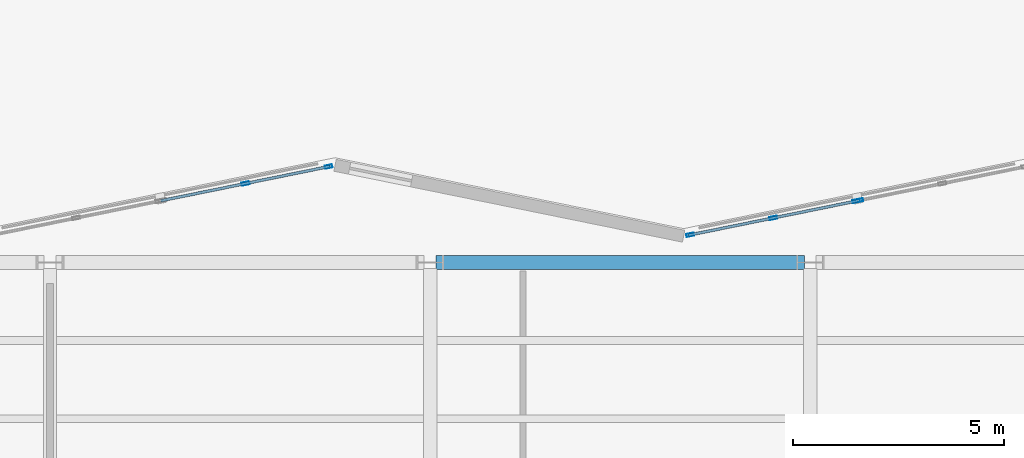
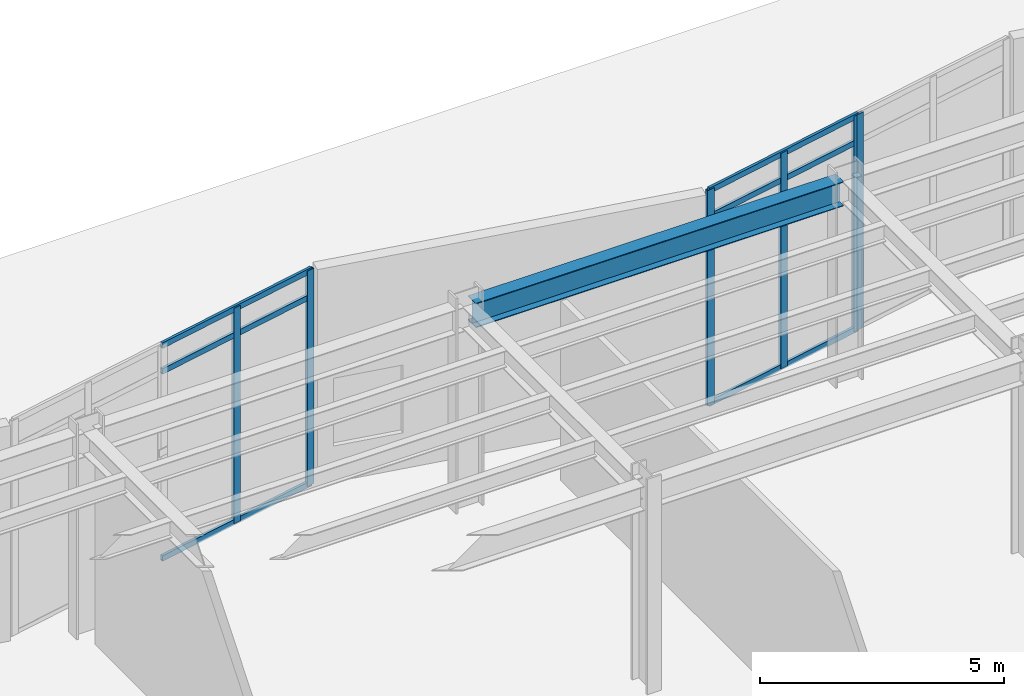
# One storey, part 56 of 94: 12 members, 1 beam, 3 elements without a shape of their own.
"""IFC4 building model written with IfcOpenShell, lengths in metres."""

from ifc_helpers import new_model, si_unit, direction, frame, origin, origin_2d, place, context, subcontext, project, spatial, hollow_rectangle, i_section, extrude, material, layer, layer_set, material_profile, profile_set, type_object, element, aggregate, save


model = new_model("IFC4")

# Units and contexts
model_context = context("Model", 3, precision=1e-05, world=origin(), true_north=direction((0.0, 1.0)))
body_context = subcontext(model_context, "Body", "Model", "MODEL_VIEW")
ifc_project = project(units=[si_unit("LENGTHUNIT", "METRE"), si_unit("AREAUNIT", "SQUARE_METRE"), si_unit("VOLUMEUNIT", "CUBIC_METRE"), si_unit("PLANEANGLEUNIT", "RADIAN"), si_unit("MASSUNIT", "GRAM", prefix="KILO")], contexts=[model_context])

# Site, building, storey
site_placement = place(None, origin())
site = spatial("IfcSite", under=ifc_project, at=site_placement, CompositionType="ELEMENT")
building_placement = place(site_placement, origin())
building = spatial("IfcBuilding", under=site, at=building_placement, Name="Sollismere Congress Hotel", CompositionType="ELEMENT")
storey_placement = place(building_placement, origin())
storey = spatial("IfcBuildingStorey", under=building, at=storey_placement, Name="L00", CompositionType="ELEMENT", Elevation=0.0)

# Beam
ifc_material_1 = material(Name="Steel ASTM A992 Grade 50", Category="steel")
ifc_material_profile_1 = material_profile(ifc_material_1, i_section(OverallWidth=0.324951171875, OverallDepth=0.612060546875, WebThickness=0.0126953125, FlangeThickness=0.01904296875, at=origin_2d()), Name="W24X104")
ifc_profile_set_1 = profile_set([ifc_material_profile_1], Name="Steel ASTM A992 Grade 50")
beam_type = type_object("IfcBeamType", Name="BM-G24", PredefinedType="BEAM", material=ifc_profile_set_1)
beam_placement = place(storey_placement, frame((85.139892578125, 102.39990234375, 4.80908203125), z_axis=(1.0, 0.0, 0.0), x_axis=(0.0, 1.0, 0.0)))
element("IfcBeam", 1, at=beam_placement, inside=storey, type_object=beam_type, Name="Beam BM-L00-1219", PredefinedType="BEAM", context=body_context, shape_type="SweptSolid", body=[
    extrude(i_section(OverallWidth=0.324951171875, OverallDepth=0.612060546875, WebThickness=0.0126953125, FlangeThickness=0.01904296875, at=origin_2d()), origin(), (0.0, 0.0, 1.0), 8.72021484375),
])

# Curtain wall, members
ifc_material_2 = material(Name="Anodized Bronze Curtain Wall & Low-E Triple Glazing", Category="glass")
ifc_layer = layer(ifc_material_2, 0.199951171875, Name="Anodized Bronze Curtain Wall & Low-E Triple Glazing")
ifc_layer_set = layer_set([ifc_layer], Name="Anodized Bronze Curtain Wall & Low-E Triple Glazing")
curtain_wall_type = type_object("IfcCurtainWallType", Name="CW-GLZ36", PredefinedType="USERDEFINED", material=ifc_layer_set)
curtain_wall_1_placement = place(storey_placement, origin())
curtain_wall_1 = element("IfcCurtainWall", 2, at=curtain_wall_1_placement, inside=storey, type_object=curtain_wall_type, Name="Unitised curtain wall CW-L00-068", ObjectType="UNITISED CURTAIN WALL", PredefinedType="USERDEFINED")
ifc_material_3 = material(Name="Anodized Aluminum 6063-T6", Category="aluminium")
ifc_material_profile_2 = material_profile(ifc_material_3, hollow_rectangle(XDim=0.074951171875, YDim=0.179931640625, WallThickness=0.0048828125, at=origin_2d()), Name="ALU180X75X5")
ifc_profile_set_2 = profile_set([ifc_material_profile_2], Name="Anodized Aluminum 6063-T6")
member_type_1 = type_object("IfcMemberType", Name="ML-CW180", PredefinedType="MULLION", material=ifc_profile_set_2)
member_1_placement = place(storey_placement, frame((80.628662109375, 104.266845703125, 0.0), z_axis=(0.0, 0.0, 1.0), x_axis=(-0.199367934417, 0.979924704621, 0.0)))
member_1 = element("IfcMember", 3, at=member_1_placement, type_object=member_type_1, Name="CWL-CW-L00-068-ML02", PredefinedType="MULLION", context=body_context, shape_type="SweptSolid", body=[
    extrude(hollow_rectangle(XDim=0.074951171875, YDim=0.179931640625, WallThickness=0.0048828125, at=origin_2d()), origin(), (0.0, 0.0, 1.0), 5.39990234375),
])
member_2_placement = place(storey_placement, frame((82.59521484375, 104.6669921875, 0.0), z_axis=(0.0, 0.0, 1.0), x_axis=(-0.199367934417, 0.979924704621, 0.0)))
member_2 = element("IfcMember", 4, at=member_2_placement, type_object=member_type_1, Name="CWL-CW-L00-068-ML03", PredefinedType="MULLION", context=body_context, shape_type="SweptSolid", body=[
    extrude(hollow_rectangle(XDim=0.074951171875, YDim=0.179931640625, WallThickness=0.0048828125, at=origin_2d()), origin(), (0.0, 0.0, 1.0), 5.39990234375),
])

curtain_wall_2_placement = place(storey_placement, origin())
curtain_wall_2 = element("IfcCurtainWall", 5, at=curtain_wall_2_placement, inside=storey, type_object=curtain_wall_type, Name="Unitised curtain wall CW-L00-069", ObjectType="UNITISED CURTAIN WALL", PredefinedType="USERDEFINED")
member_3_placement = place(storey_placement, frame((91.15478515625, 103.051513671875, 0.0), z_axis=(0.0, 0.0, 1.0), x_axis=(-0.199367934417, 0.979924704621, 0.0)))
member_3 = element("IfcMember", 6, at=member_3_placement, type_object=member_type_1, Name="CWL-CW-L00-069-ML01", PredefinedType="MULLION", context=body_context, shape_type="SweptSolid", body=[
    extrude(hollow_rectangle(XDim=0.074951171875, YDim=0.179931640625, WallThickness=0.0048828125, at=origin_2d()), origin(), (0.0, 0.0, 1.0), 5.39990234375),
])
member_4_placement = place(storey_placement, frame((93.121337890625, 103.45166015625, 0.0), z_axis=(0.0, 0.0, 1.0), x_axis=(-0.199367934417, 0.979924704621, 0.0)))
member_4 = element("IfcMember", 7, at=member_4_placement, type_object=member_type_1, Name="CWL-CW-L00-069-ML02", PredefinedType="MULLION", context=body_context, shape_type="SweptSolid", body=[
    extrude(hollow_rectangle(XDim=0.074951171875, YDim=0.179931640625, WallThickness=0.0048828125, at=origin_2d()), origin(), (0.0, 0.0, 1.0), 5.39990234375),
])
member_5_placement = place(storey_placement, frame((95.087890625, 103.851806640625, 0.0), z_axis=(0.0, 0.0, 1.0), x_axis=(-0.199367934417, 0.979924704621, 0.0)))
member_5 = element("IfcMember", 8, at=member_5_placement, type_object=member_type_1, Name="CWL-CW-L00-069-ML03", PredefinedType="MULLION", context=body_context, shape_type="SweptSolid", body=[
    extrude(hollow_rectangle(XDim=0.074951171875, YDim=0.179931640625, WallThickness=0.0048828125, at=origin_2d()), origin(), (0.0, 0.0, 1.0), 5.39990234375),
])

# Curtain wall, member
curtain_wall_3_placement = place(storey_placement, origin())
curtain_wall_3 = element("IfcCurtainWall", 9, at=curtain_wall_3_placement, inside=storey, type_object=curtain_wall_type, Name="Unitised curtain wall CW-L00-070", ObjectType="UNITISED CURTAIN WALL", PredefinedType="USERDEFINED")
member_6_placement = place(storey_placement, frame((95.162109375, 103.86669921875, 0.0), z_axis=(0.0, 0.0, 1.0), x_axis=(-0.199367934417, 0.979924704621, 0.0)))
member_6 = element("IfcMember", 10, at=member_6_placement, type_object=member_type_1, Name="CWL-CW-L00-070-ML01", PredefinedType="MULLION", context=body_context, shape_type="SweptSolid", body=[
    extrude(hollow_rectangle(XDim=0.074951171875, YDim=0.179931640625, WallThickness=0.0048828125, at=origin_2d()), origin(), (0.0, 0.0, 1.0), 5.39990234375),
])
aggregate(curtain_wall_3, [member_6])

# Member
ifc_material_profile_3 = material_profile(ifc_material_3, hollow_rectangle(XDim=0.06494140625, YDim=0.139892578125, WallThickness=0.00390625, at=origin_2d()), Name="ALU140X65X4")
ifc_profile_set_3 = profile_set([ifc_material_profile_3], Name="Anodized Aluminum 6063-T6")
member_type_2 = type_object("IfcMemberType", Name="TR-CW150", PredefinedType="MEMBER", material=ifc_profile_set_3)
member_7_placement = place(storey_placement, frame((78.625, 103.859375, 0.032470703125), z_axis=(0.979930139944, 0.199341217087, 0.0), x_axis=(-0.199341217087, 0.979930139944, 0.0)))
member_7 = element("IfcMember", 11, at=member_7_placement, type_object=member_type_2, Name="CWL-CW-L00-068-TR1", PredefinedType="MEMBER", context=body_context, shape_type="SweptSolid", body=[
    extrude(hollow_rectangle(XDim=0.06494140625, YDim=0.139892578125, WallThickness=0.00390625, at=origin_2d()), origin(), (0.0, 0.0, 1.0), 4.08935546875),
])

member_8_placement = place(storey_placement, frame((78.625, 103.859375, 4.719970703125), z_axis=(0.979930139944, 0.199341217087, 0.0), x_axis=(-0.199341217087, 0.979930139944, 0.0)))
member_8 = element("IfcMember", 12, at=member_8_placement, type_object=member_type_2, Name="CWL-CW-L00-068-TR2", PredefinedType="MEMBER", context=body_context, shape_type="SweptSolid", body=[
    extrude(hollow_rectangle(XDim=0.06494140625, YDim=0.139892578125, WallThickness=0.00390625, at=origin_2d()), origin(), (0.0, 0.0, 1.0), 4.08935546875),
])

member_9_placement = place(storey_placement, frame((78.625, 103.859375, 5.367431640625), z_axis=(0.979930139944, 0.199341217087, 0.0), x_axis=(-0.199341217087, 0.979930139944, 0.0)))
member_9 = element("IfcMember", 13, at=member_9_placement, type_object=member_type_2, Name="CWL-CW-L00-068-TR3", PredefinedType="MEMBER", context=body_context, shape_type="SweptSolid", body=[
    extrude(hollow_rectangle(XDim=0.06494140625, YDim=0.139892578125, WallThickness=0.00390625, at=origin_2d()), origin(), (0.0, 0.0, 1.0), 4.08935546875),
])

aggregate(curtain_wall_1, [member_1, member_2, member_7, member_8, member_9])

member_10_placement = place(storey_placement, frame((91.11767578125, 103.0439453125, 0.032470703125), z_axis=(0.979918476409, 0.199398544609, 0.0), x_axis=(-0.199398544609, 0.979918476409, 0.0)))
member_10 = element("IfcMember", 14, at=member_10_placement, type_object=member_type_2, Name="CWL-CW-L00-069-TR1", PredefinedType="MEMBER", context=body_context, shape_type="SweptSolid", body=[
    extrude(hollow_rectangle(XDim=0.06494140625, YDim=0.139892578125, WallThickness=0.00390625, at=origin_2d()), origin(), (0.0, 0.0, 1.0), 4.08935546875),
])

member_11_placement = place(storey_placement, frame((91.11767578125, 103.0439453125, 4.719970703125), z_axis=(0.979918476409, 0.199398544609, 0.0), x_axis=(-0.199398544609, 0.979918476409, 0.0)))
member_11 = element("IfcMember", 15, at=member_11_placement, type_object=member_type_2, Name="CWL-CW-L00-069-TR2", PredefinedType="MEMBER", context=body_context, shape_type="SweptSolid", body=[
    extrude(hollow_rectangle(XDim=0.06494140625, YDim=0.139892578125, WallThickness=0.00390625, at=origin_2d()), origin(), (0.0, 0.0, 1.0), 4.08935546875),
])

member_12_placement = place(storey_placement, frame((91.11767578125, 103.0439453125, 5.367431640625), z_axis=(0.979918476409, 0.199398544609, 0.0), x_axis=(-0.199398544609, 0.979918476409, 0.0)))
member_12 = element("IfcMember", 16, at=member_12_placement, type_object=member_type_2, Name="CWL-CW-L00-069-TR3", PredefinedType="MEMBER", context=body_context, shape_type="SweptSolid", body=[
    extrude(hollow_rectangle(XDim=0.06494140625, YDim=0.139892578125, WallThickness=0.00390625, at=origin_2d()), origin(), (0.0, 0.0, 1.0), 4.08935546875),
])

aggregate(curtain_wall_2, [member_3, member_4, member_5, member_10, member_11, member_12])

save(model, "model.ifc")
